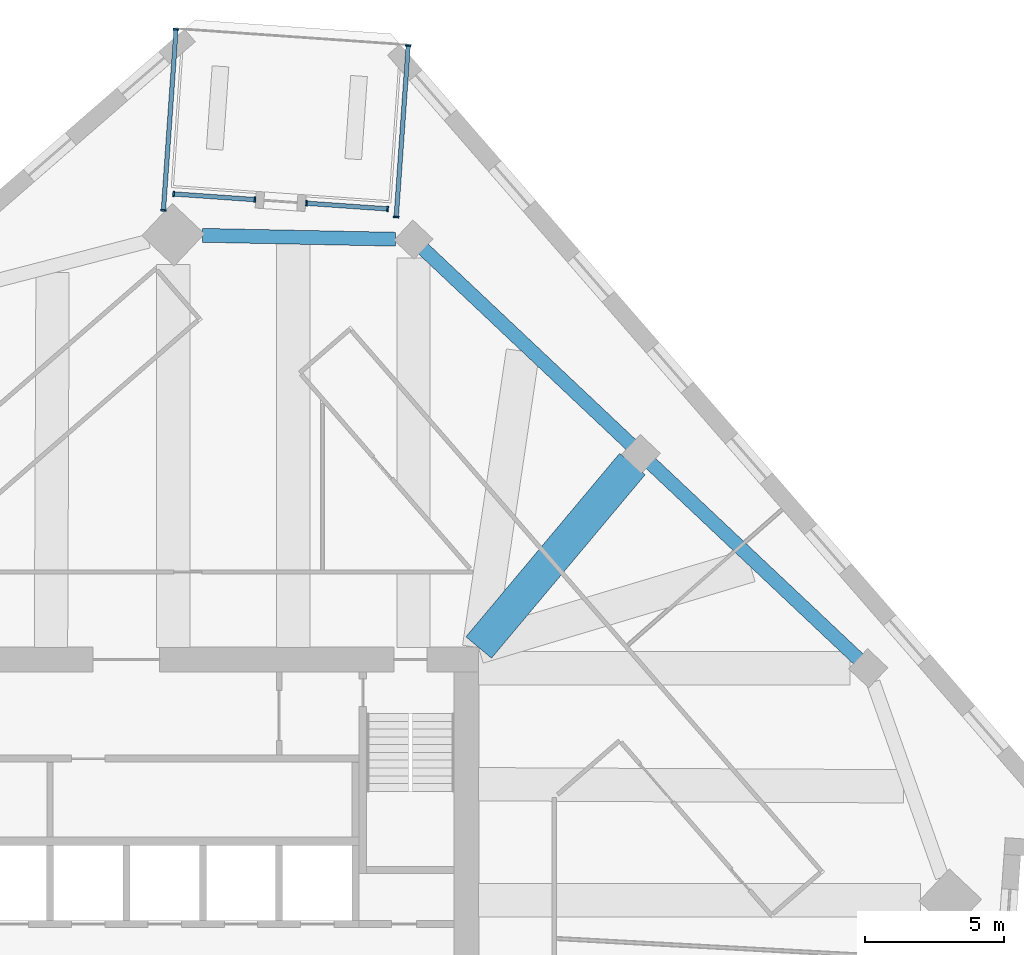
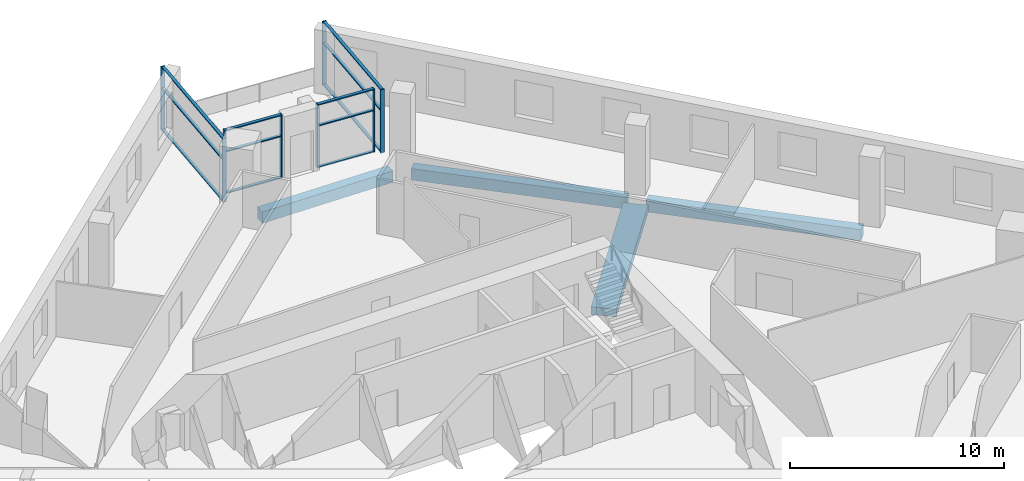
# One storey, part 2 of 11: 20 members, 4 beams, 4 elements without a shape of their own.
"""IFC4 building model written with IfcOpenShell, lengths in metres."""

from ifc_helpers import new_model, si_unit, direction, frame, origin, origin_2d, place, context, subcontext, project, spatial, rectangle, extrude, material, material_profile, profile_set, type_object, element, aggregate, save


model = new_model("IFC4")

# Units and contexts
model_context = context("Model", 3, precision=1e-05, world=origin(), true_north=direction((0.0, 1.0)))
body_context = subcontext(model_context, "Body", "Model", "MODEL_VIEW")
ifc_project = project(units=[si_unit("LENGTHUNIT", "METRE"), si_unit("AREAUNIT", "SQUARE_METRE"), si_unit("VOLUMEUNIT", "CUBIC_METRE"), si_unit("PLANEANGLEUNIT", "RADIAN"), si_unit("MASSUNIT", "GRAM", prefix="KILO")], contexts=[model_context])

# Site, building, storey
site_placement = place(None, origin())
site = spatial("IfcSite", under=ifc_project, at=site_placement, CompositionType="ELEMENT")
building_placement = place(site_placement, origin())
building = spatial("IfcBuilding", under=site, at=building_placement, Name="Dilmun Exchange Tower", CompositionType="ELEMENT")
storey_placement = place(building_placement, frame((0.0, 0.0, 193.300048828125)))
storey = spatial("IfcBuildingStorey", under=building, at=storey_placement, Name="L45", CompositionType="ELEMENT", Elevation=193.300048828125)

# Curtain wall, members
ifc_material_1 = material(Name="Anodised aluminium and clear glass", Category="aluminium")
curtain_wall_type = type_object("IfcCurtainWallType", Name="Garden corner glazing", PredefinedType="NOTDEFINED", material=ifc_material_1)
curtain_wall_1_placement = place(storey_placement, origin())
curtain_wall_1 = element("IfcCurtainWall", 1, at=curtain_wall_1_placement, inside=storey, type_object=curtain_wall_type, Name="Garden corner glazing run GC1.1", PredefinedType="NOTDEFINED")
ifc_material_2 = material(Name="Anodised aluminium", Category="aluminium")
ifc_material_profile_1 = material_profile(ifc_material_2, rectangle(XDim=0.199951171875, YDim=0.06005859375, at=origin_2d()), Name="AL 60x200")
ifc_profile_set_1 = profile_set([ifc_material_profile_1], Name="Anodised aluminium")
member_type_1 = type_object("IfcMemberType", Name="Garden corner glazing mullion 60 x 200", PredefinedType="MULLION", material=ifc_profile_set_1)
member_1_placement = place(storey_placement, frame((10.145263671875, 34.34765625, 0.0), z_axis=(0.0, 0.0, 1.0), x_axis=(0.997564361627, -0.06975202085, 0.0)))
member_1 = element("IfcMember", 2, at=member_1_placement, type_object=member_type_1, Name="GC1.1 mullion 1", PredefinedType="MULLION", context=body_context, shape_type="SweptSolid", body=[
    extrude(rectangle(XDim=0.199951171875, YDim=0.06005859375, at=origin_2d()), origin(), (0.0, 0.0, 1.0), 3.619873046875),
])
member_2_placement = place(storey_placement, frame((9.7138671875, 28.176513671875, 0.0), z_axis=(0.0, 0.0, 1.0), x_axis=(0.997564361627, -0.06975202085, 0.0)))
member_2 = element("IfcMember", 3, at=member_2_placement, type_object=member_type_1, Name="GC1.1 mullion 2", PredefinedType="MULLION", context=body_context, shape_type="SweptSolid", body=[
    extrude(rectangle(XDim=0.199951171875, YDim=0.06005859375, at=origin_2d()), origin(), (0.0, 0.0, 1.0), 3.619873046875),
])

curtain_wall_2_placement = place(storey_placement, origin())
curtain_wall_2 = element("IfcCurtainWall", 4, at=curtain_wall_2_placement, inside=storey, type_object=curtain_wall_type, Name="Garden corner glazing run GC2.1", PredefinedType="NOTDEFINED")
member_3_placement = place(storey_placement, frame((9.4033203125, 28.46875, 0.0), z_axis=(0.0, 0.0, 1.0), x_axis=(-0.069787179845, -0.997561902605, 0.0)))
member_3 = element("IfcMember", 5, at=member_3_placement, type_object=member_type_1, Name="GC2.1 mullion 1", PredefinedType="MULLION", context=body_context, shape_type="SweptSolid", body=[
    extrude(rectangle(XDim=0.199951171875, YDim=0.06005859375, at=origin_2d()), origin(), (0.0, 0.0, 1.0), 3.619873046875),
])
member_4_placement = place(storey_placement, frame((6.4814453125, 28.673095703125, 0.0), z_axis=(0.0, 0.0, 1.0), x_axis=(-0.069787179845, -0.997561902605, 0.0)))
member_4 = element("IfcMember", 6, at=member_4_placement, type_object=member_type_1, Name="GC2.1 mullion 2", PredefinedType="MULLION", context=body_context, shape_type="SweptSolid", body=[
    extrude(rectangle(XDim=0.199951171875, YDim=0.06005859375, at=origin_2d()), origin(), (0.0, 0.0, 1.0), 3.619873046875),
])

curtain_wall_3_placement = place(storey_placement, origin())
curtain_wall_3 = element("IfcCurtainWall", 7, at=curtain_wall_3_placement, inside=storey, type_object=curtain_wall_type, Name="Garden corner glazing run GC2.3", PredefinedType="NOTDEFINED")
member_5_placement = place(storey_placement, frame((4.6259765625, 28.802734375, 0.0), z_axis=(0.0, 0.0, 1.0), x_axis=(-0.069753887652, -0.997564231094, 0.0)))
member_5 = element("IfcMember", 8, at=member_5_placement, type_object=member_type_1, Name="GC2.3 mullion 1", PredefinedType="MULLION", context=body_context, shape_type="SweptSolid", body=[
    extrude(rectangle(XDim=0.199951171875, YDim=0.06005859375, at=origin_2d()), origin(), (0.0, 0.0, 1.0), 3.619873046875),
])
member_6_placement = place(storey_placement, frame((1.7041015625, 29.007080078125, 0.0), z_axis=(0.0, 0.0, 1.0), x_axis=(-0.069753887652, -0.997564231094, 0.0)))
member_6 = element("IfcMember", 9, at=member_6_placement, type_object=member_type_1, Name="GC2.3 mullion 2", PredefinedType="MULLION", context=body_context, shape_type="SweptSolid", body=[
    extrude(rectangle(XDim=0.199951171875, YDim=0.06005859375, at=origin_2d()), origin(), (0.0, 0.0, 1.0), 3.619873046875),
])

curtain_wall_4_placement = place(storey_placement, origin())
curtain_wall_4 = element("IfcCurtainWall", 10, at=curtain_wall_4_placement, inside=storey, type_object=curtain_wall_type, Name="Garden corner glazing run GC3.1", PredefinedType="NOTDEFINED")
member_7_placement = place(storey_placement, frame((1.33203125, 28.4189453125, 0.0), z_axis=(0.0, 0.0, 1.0), x_axis=(-0.99756435583, 0.069752103743, 0.0)))
member_7 = element("IfcMember", 11, at=member_7_placement, type_object=member_type_1, Name="GC3.1 mullion 1", PredefinedType="MULLION", context=body_context, shape_type="SweptSolid", body=[
    extrude(rectangle(XDim=0.199951171875, YDim=0.06005859375, at=origin_2d()), origin(), (0.0, 0.0, 1.0), 3.619873046875),
])
member_8_placement = place(storey_placement, frame((1.78759765625, 34.93212890625, 0.0), z_axis=(0.0, 0.0, 1.0), x_axis=(-0.99756435583, 0.069752103743, 0.0)))
member_8 = element("IfcMember", 12, at=member_8_placement, type_object=member_type_1, Name="GC3.1 mullion 2", PredefinedType="MULLION", context=body_context, shape_type="SweptSolid", body=[
    extrude(rectangle(XDim=0.199951171875, YDim=0.06005859375, at=origin_2d()), origin(), (0.0, 0.0, 1.0), 3.619873046875),
])

# Member
ifc_material_profile_2 = material_profile(ifc_material_2, rectangle(XDim=0.159912109375, YDim=0.06005859375, at=origin_2d()), Name="AL 60x160")
ifc_profile_set_2 = profile_set([ifc_material_profile_2], Name="Anodised aluminium")
member_type_2 = type_object("IfcMemberType", Name="Garden corner glazing transom 60 x 160", PredefinedType="USERDEFINED", material=ifc_profile_set_2)
member_9_placement = place(storey_placement, frame((10.143310546875, 34.31787109375, 0.030029296875), z_axis=(-0.069777178783, -0.997562602207, 0.0), x_axis=(0.997562602207, -0.069777178783, 0.0)))
member_9 = element("IfcMember", 13, at=member_9_placement, type_object=member_type_2, Name="GC1.1 transom 1.1", ObjectType="TRANSOM", PredefinedType="USERDEFINED", context=body_context, shape_type="SweptSolid", body=[
    extrude(rectangle(XDim=0.159912109375, YDim=0.06005859375, at=origin_2d()), origin(), (0.0, 0.0, 1.0), 6.12646484375),
])

member_10_placement = place(storey_placement, frame((10.143310546875, 34.31787109375, 2.39990234375), z_axis=(-0.069777178783, -0.997562602207, 0.0), x_axis=(0.997562602207, -0.069777178783, 0.0)))
member_10 = element("IfcMember", 14, at=member_10_placement, type_object=member_type_2, Name="GC1.1 transom 1.2", ObjectType="TRANSOM", PredefinedType="USERDEFINED", context=body_context, shape_type="SweptSolid", body=[
    extrude(rectangle(XDim=0.159912109375, YDim=0.06005859375, at=origin_2d()), origin(), (0.0, 0.0, 1.0), 6.12646484375),
])

member_11_placement = place(storey_placement, frame((10.143310546875, 34.31787109375, 3.58984375), z_axis=(-0.069777178783, -0.997562602207, 0.0), x_axis=(0.997562602207, -0.069777178783, 0.0)))
member_11 = element("IfcMember", 15, at=member_11_placement, type_object=member_type_2, Name="GC1.1 transom 1.3", ObjectType="TRANSOM", PredefinedType="USERDEFINED", context=body_context, shape_type="SweptSolid", body=[
    extrude(rectangle(XDim=0.159912109375, YDim=0.06005859375, at=origin_2d()), origin(), (0.0, 0.0, 1.0), 6.12646484375),
])

aggregate(curtain_wall_1, [member_1, member_2, member_9, member_10, member_11])

member_12_placement = place(storey_placement, frame((9.37353515625, 28.470703125, 0.030029296875), z_axis=(-0.997562581621, 0.069777473081, 0.0), x_axis=(-0.069777473081, -0.997562581621, 0.0)))
member_12 = element("IfcMember", 16, at=member_12_placement, type_object=member_type_2, Name="GC2.1 transom 1.1", ObjectType="TRANSOM", PredefinedType="USERDEFINED", context=body_context, shape_type="SweptSolid", body=[
    extrude(rectangle(XDim=0.159912109375, YDim=0.06005859375, at=origin_2d()), origin(), (0.0, 0.0, 1.0), 2.869140625),
])

member_13_placement = place(storey_placement, frame((9.37353515625, 28.470703125, 2.39990234375), z_axis=(-0.997562581621, 0.069777473081, 0.0), x_axis=(-0.069777473081, -0.997562581621, 0.0)))
member_13 = element("IfcMember", 17, at=member_13_placement, type_object=member_type_2, Name="GC2.1 transom 1.2", ObjectType="TRANSOM", PredefinedType="USERDEFINED", context=body_context, shape_type="SweptSolid", body=[
    extrude(rectangle(XDim=0.159912109375, YDim=0.06005859375, at=origin_2d()), origin(), (0.0, 0.0, 1.0), 2.869140625),
])

member_14_placement = place(storey_placement, frame((9.37353515625, 28.470703125, 3.58984375), z_axis=(-0.997562581621, 0.069777473081, 0.0), x_axis=(-0.069777473081, -0.997562581621, 0.0)))
member_14 = element("IfcMember", 18, at=member_14_placement, type_object=member_type_2, Name="GC2.1 transom 1.3", ObjectType="TRANSOM", PredefinedType="USERDEFINED", context=body_context, shape_type="SweptSolid", body=[
    extrude(rectangle(XDim=0.159912109375, YDim=0.06005859375, at=origin_2d()), origin(), (0.0, 0.0, 1.0), 2.869140625),
])

aggregate(curtain_wall_2, [member_3, member_4, member_12, member_13, member_14])

member_15_placement = place(storey_placement, frame((4.595947265625, 28.804931640625, 0.030029296875), z_axis=(-0.997562581621, 0.069777473081, 0.0), x_axis=(-0.069777473081, -0.997562581621, 0.0)))
member_15 = element("IfcMember", 19, at=member_15_placement, type_object=member_type_2, Name="GC2.3 transom 1.1", ObjectType="TRANSOM", PredefinedType="USERDEFINED", context=body_context, shape_type="SweptSolid", body=[
    extrude(rectangle(XDim=0.159912109375, YDim=0.06005859375, at=origin_2d()), origin(), (0.0, 0.0, 1.0), 2.869140625),
])

member_16_placement = place(storey_placement, frame((4.595947265625, 28.804931640625, 2.39990234375), z_axis=(-0.997562581621, 0.069777473081, 0.0), x_axis=(-0.069777473081, -0.997562581621, 0.0)))
member_16 = element("IfcMember", 20, at=member_16_placement, type_object=member_type_2, Name="GC2.3 transom 1.2", ObjectType="TRANSOM", PredefinedType="USERDEFINED", context=body_context, shape_type="SweptSolid", body=[
    extrude(rectangle(XDim=0.159912109375, YDim=0.06005859375, at=origin_2d()), origin(), (0.0, 0.0, 1.0), 2.869140625),
])

member_17_placement = place(storey_placement, frame((4.595947265625, 28.804931640625, 3.58984375), z_axis=(-0.997562581621, 0.069777473081, 0.0), x_axis=(-0.069777473081, -0.997562581621, 0.0)))
member_17 = element("IfcMember", 21, at=member_17_placement, type_object=member_type_2, Name="GC2.3 transom 1.3", ObjectType="TRANSOM", PredefinedType="USERDEFINED", context=body_context, shape_type="SweptSolid", body=[
    extrude(rectangle(XDim=0.159912109375, YDim=0.06005859375, at=origin_2d()), origin(), (0.0, 0.0, 1.0), 2.869140625),
])

aggregate(curtain_wall_3, [member_5, member_6, member_15, member_16, member_17])

member_18_placement = place(storey_placement, frame((1.334228515625, 28.448974609375, 0.030029296875), z_axis=(0.069742374557, 0.997565036071, 0.0), x_axis=(-0.997565036071, 0.069742374557, 0.0)))
member_18 = element("IfcMember", 22, at=member_18_placement, type_object=member_type_2, Name="GC3.1 transom 1.1", ObjectType="TRANSOM", PredefinedType="USERDEFINED", context=body_context, shape_type="SweptSolid", body=[
    extrude(rectangle(XDim=0.159912109375, YDim=0.06005859375, at=origin_2d()), origin(), (0.0, 0.0, 1.0), 6.46923828125),
])

member_19_placement = place(storey_placement, frame((1.334228515625, 28.448974609375, 2.39990234375), z_axis=(0.069742374557, 0.997565036071, 0.0), x_axis=(-0.997565036071, 0.069742374557, 0.0)))
member_19 = element("IfcMember", 23, at=member_19_placement, type_object=member_type_2, Name="GC3.1 transom 1.2", ObjectType="TRANSOM", PredefinedType="USERDEFINED", context=body_context, shape_type="SweptSolid", body=[
    extrude(rectangle(XDim=0.159912109375, YDim=0.06005859375, at=origin_2d()), origin(), (0.0, 0.0, 1.0), 6.46923828125),
])

member_20_placement = place(storey_placement, frame((1.334228515625, 28.448974609375, 3.58984375), z_axis=(0.069742374557, 0.997565036071, 0.0), x_axis=(-0.997565036071, 0.069742374557, 0.0)))
member_20 = element("IfcMember", 24, at=member_20_placement, type_object=member_type_2, Name="GC3.1 transom 1.3", ObjectType="TRANSOM", PredefinedType="USERDEFINED", context=body_context, shape_type="SweptSolid", body=[
    extrude(rectangle(XDim=0.159912109375, YDim=0.06005859375, at=origin_2d()), origin(), (0.0, 0.0, 1.0), 6.46923828125),
])

aggregate(curtain_wall_4, [member_7, member_8, member_18, member_19, member_20])

# Beams
ifc_material_3 = material(Name="Concrete C40/50", Category="concrete")
ifc_material_profile_3 = material_profile(ifc_material_3, rectangle(XDim=1.199951171875, YDim=0.449951171875, at=origin_2d()), Name="1200 x 450")
ifc_profile_set_3 = profile_set([ifc_material_profile_3], Name="Concrete C40/50")
beam_type_1 = type_object("IfcBeamType", Name="RC band beam 1200 x 450 C40/50", PredefinedType="BEAM", material=ifc_profile_set_3)
beam_1_placement = place(storey_placement, frame((18.2158203125, 19.28369140625, -0.705078125), z_axis=(-0.642200063897, -0.766537068856, 0.0), x_axis=(0.766537068856, -0.642200063897, 0.0)))
element("IfcBeam", 25, at=beam_1_placement, inside=storey, type_object=beam_type_1, Name="Band beam 15", PredefinedType="BEAM", context=body_context, shape_type="SweptSolid", body=[
    extrude(rectangle(XDim=1.199951171875, YDim=0.449951171875, at=origin_2d()), origin(), (0.0, 0.0, 1.0), 8.615966796875),
])
ifc_material_profile_4 = material_profile(ifc_material_3, rectangle(XDim=0.5, YDim=0.64990234375, at=origin_2d()), Name="500 x 650")
ifc_profile_set_4 = profile_set([ifc_material_profile_4], Name="Concrete C40/50")
beam_type_2 = type_object("IfcBeamType", Name="RC ring beam 500 x 650 C40/50", PredefinedType="SPANDREL", material=ifc_profile_set_4)
beam_2_placement = place(storey_placement, frame((26.36181640625, 12.25537109375, -0.705078125), z_axis=(-0.727685706374, 0.68591071776, 0.0), x_axis=(-0.68591071776, -0.727685706374, 0.0)))
element("IfcBeam", 26, at=beam_2_placement, inside=storey, type_object=beam_type_2, Name="Ring beam 14", PredefinedType="SPANDREL", context=body_context, shape_type="SweptSolid", body=[
    extrude(rectangle(XDim=0.5, YDim=0.64990234375, at=origin_2d()), origin(), (0.0, 0.0, 1.0), 10.30322265625),
])
beam_3_placement = place(storey_placement, frame((18.17578125, 19.971435546875, -0.705078125), z_axis=(-0.727682990869, 0.685913598641, 0.0), x_axis=(-0.685913598641, -0.727682990869, 0.0)))
element("IfcBeam", 27, at=beam_3_placement, inside=storey, type_object=beam_type_2, Name="Ring beam 15", PredefinedType="SPANDREL", context=body_context, shape_type="SweptSolid", body=[
    extrude(rectangle(XDim=0.5, YDim=0.64990234375, at=origin_2d()), origin(), (0.0, 0.0, 1.0), 10.3046875),
])
beam_4_placement = place(storey_placement, frame((9.685791015625, 27.376953125, -0.705078125), z_axis=(-0.999797424966, 0.020127320539, 0.0), x_axis=(-0.020127320539, -0.999797424966, 0.0)))
element("IfcBeam", 28, at=beam_4_placement, inside=storey, type_object=beam_type_2, Name="Ring beam 16", PredefinedType="SPANDREL", context=body_context, shape_type="SweptSolid", body=[
    extrude(rectangle(XDim=0.5, YDim=0.64990234375, at=origin_2d()), origin(), (0.0, 0.0, 1.0), 6.950439453125),
])

save(model, "model.ifc")
